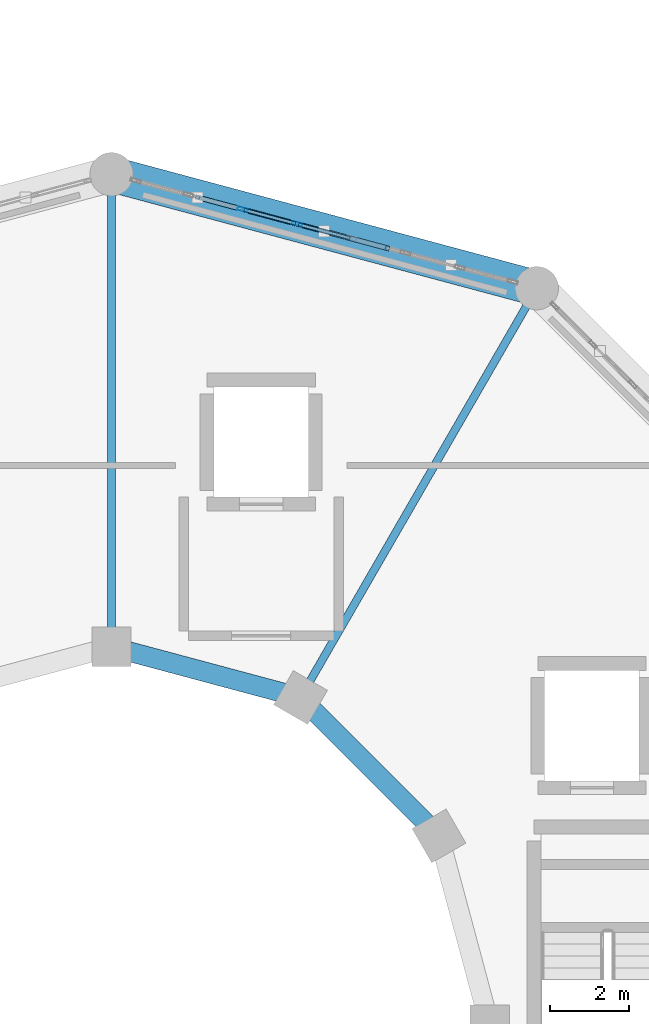
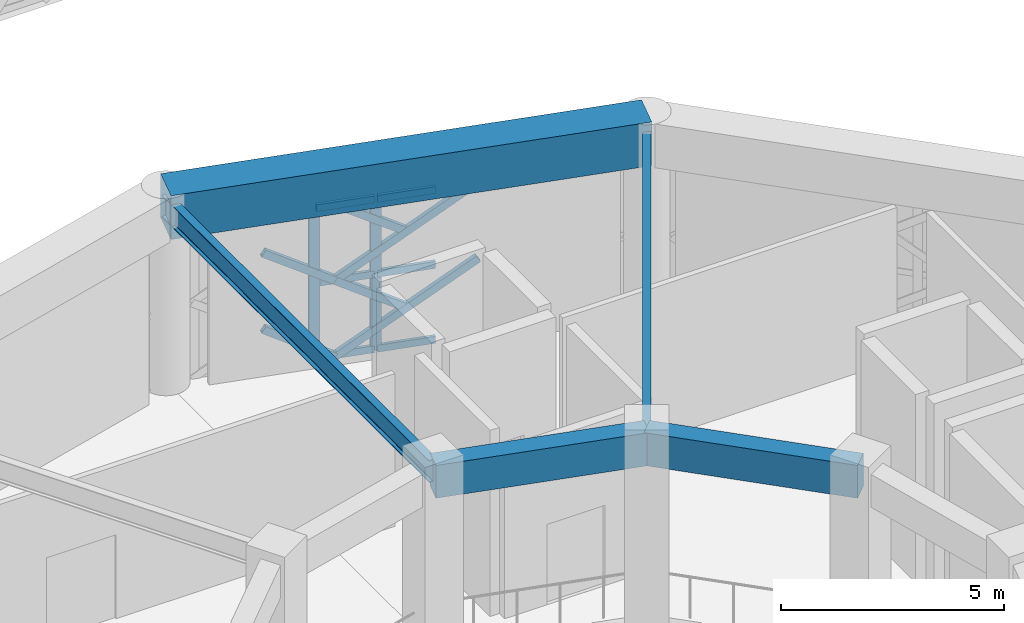
# One storey, part 29 of 72: 14 members, 5 beams, 1 element without a shape of its own.
"""IFC4 building model written with IfcOpenShell, lengths in metres."""

from ifc_helpers import new_model, si_unit, direction, frame, origin, origin_2d, place, context, subcontext, project, spatial, rectangle, hollow_rectangle, i_section, extrude, material, material_profile, profile_set, type_object, element, aggregate, save


model = new_model("IFC4")

# Units and contexts
model_context = context("Model", 3, precision=1e-05, world=origin(), true_north=direction((0.0, 1.0)))
body_context = subcontext(model_context, "Body", "Model", "MODEL_VIEW")
ifc_project = project(units=[si_unit("LENGTHUNIT", "METRE"), si_unit("AREAUNIT", "SQUARE_METRE"), si_unit("VOLUMEUNIT", "CUBIC_METRE"), si_unit("PLANEANGLEUNIT", "RADIAN"), si_unit("MASSUNIT", "GRAM", prefix="KILO")], contexts=[model_context])

# Site, building, storey
site_placement = place(None, origin())
site = spatial("IfcSite", under=ifc_project, at=site_placement, CompositionType="ELEMENT")
building_placement = place(site_placement, origin())
building = spatial("IfcBuilding", under=site, at=building_placement, Name="Haizhuo Lancet Aquarium", CompositionType="ELEMENT")
storey_placement = place(building_placement, frame((0.0, 0.0, 21.60009765625)))
storey = spatial("IfcBuildingStorey", under=building, at=storey_placement, Name="L04", CompositionType="ELEMENT", Elevation=21.60009765625)

# Beams
ifc_material_1 = material(Name="Concrete C50/60", Category="concrete")
ifc_material_profile_1 = material_profile(ifc_material_1, rectangle(XDim=0.89990234375, YDim=1.199951171875, at=origin_2d()), Name="RC-RB 900x1200")
ifc_profile_set_1 = profile_set([ifc_material_profile_1], Name="Concrete C50/60")
beam_type_1 = type_object("IfcBeamType", Name="BM-RB-900x1200", PredefinedType="USERDEFINED", material=ifc_profile_set_1)
beam_1_placement = place(storey_placement, frame((10.800048828125, 18.7060546875, 4.7998046875), z_axis=(-0.965921832664, 0.258833949056, 0.0), x_axis=(-0.258833949056, -0.965921832664, 0.0)))
element("IfcBeam", 1, at=beam_1_placement, inside=storey, type_object=beam_type_1, Name="Ocean Hall dome tension ring beam RB-1 seg 3", ObjectType="RING BEAM", PredefinedType="USERDEFINED", context=body_context, shape_type="SweptSolid", body=[
    extrude(rectangle(XDim=0.89990234375, YDim=1.199951171875, at=origin_2d()), origin(), (0.0, 0.0, 1.0), 11.18115234375),
])
ifc_material_2 = material(Name="Concrete C40/50", Category="concrete")
ifc_material_profile_2 = material_profile(ifc_material_2, rectangle(XDim=0.5, YDim=0.89990234375, at=origin_2d()), Name="RC-BM 500x900")
ifc_profile_set_2 = profile_set([ifc_material_profile_2], Name="Concrete C40/50")
beam_type_2 = type_object("IfcBeamType", Name="BM-RC-500x900", PredefinedType="BEAM", material=ifc_profile_set_2)
for number, where, z_axis, x_axis, name in (
    (2, (8.31396484375, 4.800048828125, 4.699951171875), (-0.707106781187, 0.707106781187, 0.0), (-0.707106781187, -0.707106781187, 0.0), "L04 tank ring beam 2"),
    (3, (4.800048828125, 8.31396484375, 4.699951171875), (-0.965927657214, 0.258812211902, 0.0), (-0.258812211902, -0.965927657214, 0.0), "L04 tank ring beam 3"),
):
    element("IfcBeam", number, at=place(storey_placement, frame(where, z_axis=z_axis, x_axis=x_axis)), inside=storey, type_object=beam_type_2, Name=name, PredefinedType="BEAM", context=body_context, shape_type="SweptSolid", body=[
        extrude(rectangle(XDim=0.5, YDim=0.89990234375, at=origin_2d()), origin(), (0.0, 0.0, 1.0), 4.969482421875),
    ])
ifc_material_3 = material(Name="Steel S355", Category="steel")
ifc_material_profile_3 = material_profile(ifc_material_3, i_section(OverallWidth=0.199951171875, OverallDepth=0.60009765625, WebThickness=0.010986328125, FlangeThickness=0.01708984375, FilletRadius=0.02197265625, at=origin_2d()), Name="HN 600x200x11x17")
ifc_profile_set_3 = profile_set([ifc_material_profile_3], Name="Steel S355")
beam_type_3 = type_object("IfcBeamType", Name="BM-ST-HN600", PredefinedType="BEAM", material=ifc_profile_set_3)
beam_2_placement = place(storey_placement, frame((4.800048828125, 8.31396484375, 4.849853515625), z_axis=(0.500007758305, 0.866020924479, 0.0), x_axis=(-0.866020924479, 0.500007758305, 0.0)))
element("IfcBeam", 4, at=beam_2_placement, inside=storey, type_object=beam_type_3, Name="L04 radial gallery girder 3", PredefinedType="BEAM", context=body_context, shape_type="SweptSolid", body=[
    extrude(i_section(OverallWidth=0.199951171875, OverallDepth=0.60009765625, WebThickness=0.010986328125, FlangeThickness=0.01708984375, FilletRadius=0.02197265625, at=origin_2d()), origin(), (0.0, 0.0, 1.0), 11.999755859375),
])
beam_3_placement = place(storey_placement, frame((0.0, 9.60009765625, 4.849853515625), z_axis=(0.0, 1.0, 0.0), x_axis=(-1.0, 0.0, 0.0)))
element("IfcBeam", 5, at=beam_3_placement, inside=storey, type_object=beam_type_3, Name="L04 radial gallery girder 4", PredefinedType="BEAM", context=body_context, shape_type="SweptSolid", body=[
    extrude(i_section(OverallWidth=0.199951171875, OverallDepth=0.60009765625, WebThickness=0.010986328125, FlangeThickness=0.01708984375, FilletRadius=0.02197265625, at=origin_2d()), origin(), (0.0, 0.0, 1.0), 12.0),
])

# Curtain wall, members
ifc_material_4 = material(Name="Aluminium 6063-T6", Category="aluminium")
curtain_wall_type = type_object("IfcCurtainWallType", Name="CWO-9990x4180", PredefinedType="NOTDEFINED", material=ifc_material_4)
curtain_wall_placement = place(storey_placement, origin())
curtain_wall = element("IfcCurtainWall", 6, at=curtain_wall_placement, inside=storey, type_object=curtain_wall_type, Name="L04 curtain wall CW-V1-L04-03", PredefinedType="NOTDEFINED")
ifc_material_profile_4 = material_profile(ifc_material_4, hollow_rectangle(XDim=0.080078125, YDim=0.260009765625, WallThickness=0.0048828125, at=origin_2d()), Name="ALU-M 80x260x5")
ifc_profile_set_4 = profile_set([ifc_material_profile_4], Name="Aluminium 6063-T6")
member_type_1 = type_object("IfcMemberType", Name="CW-MUL-3", PredefinedType="MULLION", material=ifc_profile_set_4)
member_1_placement = place(storey_placement, frame((3.33203125, 20.70703125, 0.0), z_axis=(0.0, 0.0, 1.0), x_axis=(0.258852762117, 0.965916791212, 0.0)))
member_1 = element("IfcMember", 7, at=member_1_placement, type_object=member_type_1, Name="CWO-99x41 mullion 3", PredefinedType="MULLION", context=body_context, shape_type="SweptSolid", body=[
    extrude(hollow_rectangle(XDim=0.080078125, YDim=0.260009765625, WallThickness=0.0048828125, at=origin_2d()), origin(), (0.0, 0.0, 1.0), 4.184814453125),
])
member_2_placement = place(storey_placement, frame((4.7109375, 20.337890625, 0.0), z_axis=(0.0, 0.0, 1.0), x_axis=(0.258852762117, 0.965916791212, 0.0)))
member_2 = element("IfcMember", 8, at=member_2_placement, type_object=member_type_1, Name="CWO-99x41 mullion 4", PredefinedType="MULLION", context=body_context, shape_type="SweptSolid", body=[
    extrude(hollow_rectangle(XDim=0.080078125, YDim=0.260009765625, WallThickness=0.0048828125, at=origin_2d()), origin(), (0.0, 0.0, 1.0), 4.184814453125),
])
ifc_material_profile_5 = material_profile(ifc_material_4, hollow_rectangle(XDim=0.080078125, YDim=0.18994140625, WallThickness=0.0048828125, at=origin_2d()), Name="ALU-T 80x190x5")
ifc_profile_set_5 = profile_set([ifc_material_profile_5], Name="Aluminium 6063-T6")
member_type_2 = type_object("IfcMemberType", Name="CW-TRN-3", PredefinedType="NOTDEFINED", material=ifc_profile_set_5)
member_3_placement = place(storey_placement, frame((3.37109375, 20.697021484375, 0.039794921875), z_axis=(0.965830666302, -0.259173926217, 0.0), x_axis=(0.259173926217, 0.965830666302, 0.0)))
member_3 = element("IfcMember", 9, at=member_3_placement, type_object=member_type_2, Name="CWO-99x41 transom 3.1", ObjectType="TRANSOM", PredefinedType="USERDEFINED", context=body_context, shape_type="SweptSolid", body=[
    extrude(hollow_rectangle(XDim=0.080078125, YDim=0.18994140625, WallThickness=0.0048828125, at=origin_2d()), origin(), (0.0, 0.0, 1.0), 1.34716796875),
])
member_4_placement = place(storey_placement, frame((3.37109375, 20.697021484375, 2.093017578125), z_axis=(0.965830666302, -0.259173926217, 0.0), x_axis=(0.259173926217, 0.965830666302, 0.0)))
member_4 = element("IfcMember", 10, at=member_4_placement, type_object=member_type_2, Name="CWO-99x41 transom 3.2", ObjectType="TRANSOM", PredefinedType="USERDEFINED", context=body_context, shape_type="SweptSolid", body=[
    extrude(hollow_rectangle(XDim=0.080078125, YDim=0.18994140625, WallThickness=0.0048828125, at=origin_2d()), origin(), (0.0, 0.0, 1.0), 1.34716796875),
])
member_5_placement = place(storey_placement, frame((3.37109375, 20.697021484375, 4.14501953125), z_axis=(0.965830666302, -0.259173926217, 0.0), x_axis=(0.259173926217, 0.965830666302, 0.0)))
member_5 = element("IfcMember", 11, at=member_5_placement, type_object=member_type_2, Name="CWO-99x41 transom 3.3", ObjectType="TRANSOM", PredefinedType="USERDEFINED", context=body_context, shape_type="SweptSolid", body=[
    extrude(hollow_rectangle(XDim=0.080078125, YDim=0.18994140625, WallThickness=0.0048828125, at=origin_2d()), origin(), (0.0, 0.0, 1.0), 1.34716796875),
])
member_6_placement = place(storey_placement, frame((4.7490234375, 20.326904296875, 0.039794921875), z_axis=(0.966105528124, -0.258147455011, 0.0), x_axis=(0.258147455011, 0.966105528124, 0.0)))
member_6 = element("IfcMember", 12, at=member_6_placement, type_object=member_type_2, Name="CWO-99x41 transom 4.1", ObjectType="TRANSOM", PredefinedType="USERDEFINED", context=body_context, shape_type="SweptSolid", body=[
    extrude(hollow_rectangle(XDim=0.080078125, YDim=0.18994140625, WallThickness=0.0048828125, at=origin_2d()), origin(), (0.0, 0.0, 1.0), 1.34765625),
])
member_7_placement = place(storey_placement, frame((4.7490234375, 20.326904296875, 2.093017578125), z_axis=(0.966105528124, -0.258147455011, 0.0), x_axis=(0.258147455011, 0.966105528124, 0.0)))
member_7 = element("IfcMember", 13, at=member_7_placement, type_object=member_type_2, Name="CWO-99x41 transom 4.2", ObjectType="TRANSOM", PredefinedType="USERDEFINED", context=body_context, shape_type="SweptSolid", body=[
    extrude(hollow_rectangle(XDim=0.080078125, YDim=0.18994140625, WallThickness=0.0048828125, at=origin_2d()), origin(), (0.0, 0.0, 1.0), 1.34765625),
])
member_8_placement = place(storey_placement, frame((4.7490234375, 20.326904296875, 4.14501953125), z_axis=(0.966105528124, -0.258147455011, 0.0), x_axis=(0.258147455011, 0.966105528124, 0.0)))
member_8 = element("IfcMember", 14, at=member_8_placement, type_object=member_type_2, Name="CWO-99x41 transom 4.3", ObjectType="TRANSOM", PredefinedType="USERDEFINED", context=body_context, shape_type="SweptSolid", body=[
    extrude(hollow_rectangle(XDim=0.080078125, YDim=0.18994140625, WallThickness=0.0048828125, at=origin_2d()), origin(), (0.0, 0.0, 1.0), 1.34765625),
])
aggregate(curtain_wall, [member_1, member_2, member_3, member_4, member_5, member_6, member_7, member_8])

# Members
ifc_material_profile_6 = material_profile(ifc_material_3, hollow_rectangle(XDim=0.1201171875, YDim=0.199951171875, WallThickness=0.008056640625, at=origin_2d()), Name="RHS 120x200x8")
ifc_profile_set_6 = profile_set([ifc_material_profile_6], Name="Steel S355")
member_type_3 = type_object("IfcMemberType", Name="MEM-LB-RHS120x200", PredefinedType="BRACE", material=ifc_profile_set_6)
member_9_placement = place(storey_placement, frame((3.7919921875, 20.583984375, 0.0), z_axis=(-0.817827695142, 0.21903882882, 0.53214645778), x_axis=(-0.258711662602, -0.965954592946, 0.0)))
element("IfcMember", 15, at=member_9_placement, inside=storey, type_object=member_type_3, Name="Gothic lancet split diagonal brace CW-V1-L04-03 1B1", PredefinedType="BRACE", context=body_context, shape_type="SweptSolid", body=[
    extrude(hollow_rectangle(XDim=0.1201171875, YDim=0.199951171875, WallThickness=0.008056640625, at=origin_2d()), origin(), (0.0, 0.0, 1.0), 1.96728515625),
])
member_10_placement = place(storey_placement, frame((3.7919921875, 20.583984375, 2.093017578125), z_axis=(-0.818043717557, 0.219096686113, 0.531790483462), x_axis=(-0.258711662602, -0.965954592946, 0.0)))
element("IfcMember", 16, at=member_10_placement, inside=storey, type_object=member_type_3, Name="Gothic lancet split diagonal brace CW-V1-L04-03 2B1", PredefinedType="BRACE", context=body_context, shape_type="SweptSolid", body=[
    extrude(hollow_rectangle(XDim=0.1201171875, YDim=0.199951171875, WallThickness=0.008056640625, at=origin_2d()), origin(), (0.0, 0.0, 1.0), 1.966796875),
])
member_11_placement = place(storey_placement, frame((3.7919921875, 20.583984375, 0.0), z_axis=(0.817753707708, -0.219197475284, 0.532194833081), x_axis=(0.258908342106, 0.965901894805, 0.0)))
element("IfcMember", 17, at=member_11_placement, inside=storey, type_object=member_type_3, Name="Gothic lancet continuous diagonal brace CW-V1-L04-03 3A", PredefinedType="BRACE", context=body_context, shape_type="SweptSolid", body=[
    extrude(hollow_rectangle(XDim=0.1201171875, YDim=0.199951171875, WallThickness=0.008056640625, at=origin_2d()), origin(), (0.0, 0.0, 1.0), 3.932861328125),
])
member_12_placement = place(storey_placement, frame((5.39990234375, 20.153076171875, 1.046875), z_axis=(-0.81782532519, 0.219171226687, 0.532095584336), x_axis=(-0.258858265046, -0.965915316483, 0.0)))
element("IfcMember", 18, at=member_12_placement, inside=storey, type_object=member_type_3, Name="Gothic lancet split diagonal brace CW-V1-L04-03 3B2", PredefinedType="BRACE", context=body_context, shape_type="SweptSolid", body=[
    extrude(hollow_rectangle(XDim=0.1201171875, YDim=0.199951171875, WallThickness=0.008056640625, at=origin_2d()), origin(), (0.0, 0.0, 1.0), 1.966064453125),
])
member_13_placement = place(storey_placement, frame((3.7919921875, 20.583984375, 2.093017578125), z_axis=(0.817888784874, -0.219233682486, 0.531972300069), x_axis=(0.258908342106, 0.965901894805, 0.0)))
element("IfcMember", 19, at=member_13_placement, inside=storey, type_object=member_type_3, Name="Gothic lancet continuous diagonal brace CW-V1-L04-03 4A", PredefinedType="BRACE", context=body_context, shape_type="SweptSolid", body=[
    extrude(hollow_rectangle(XDim=0.1201171875, YDim=0.199951171875, WallThickness=0.008056640625, at=origin_2d()), origin(), (0.0, 0.0, 1.0), 3.93212890625),
])
member_14_placement = place(storey_placement, frame((5.39990234375, 20.153076171875, 3.138916015625), z_axis=(-0.817879360967, 0.219185707881, 0.532006556693), x_axis=(-0.258858265046, -0.965915316483, 0.0)))
element("IfcMember", 20, at=member_14_placement, inside=storey, type_object=member_type_3, Name="Gothic lancet split diagonal brace CW-V1-L04-03 4B2", PredefinedType="BRACE", context=body_context, shape_type="SweptSolid", body=[
    extrude(hollow_rectangle(XDim=0.1201171875, YDim=0.199951171875, WallThickness=0.008056640625, at=origin_2d()), origin(), (0.0, 0.0, 1.0), 1.966064453125),
])

save(model, "model.ifc")
